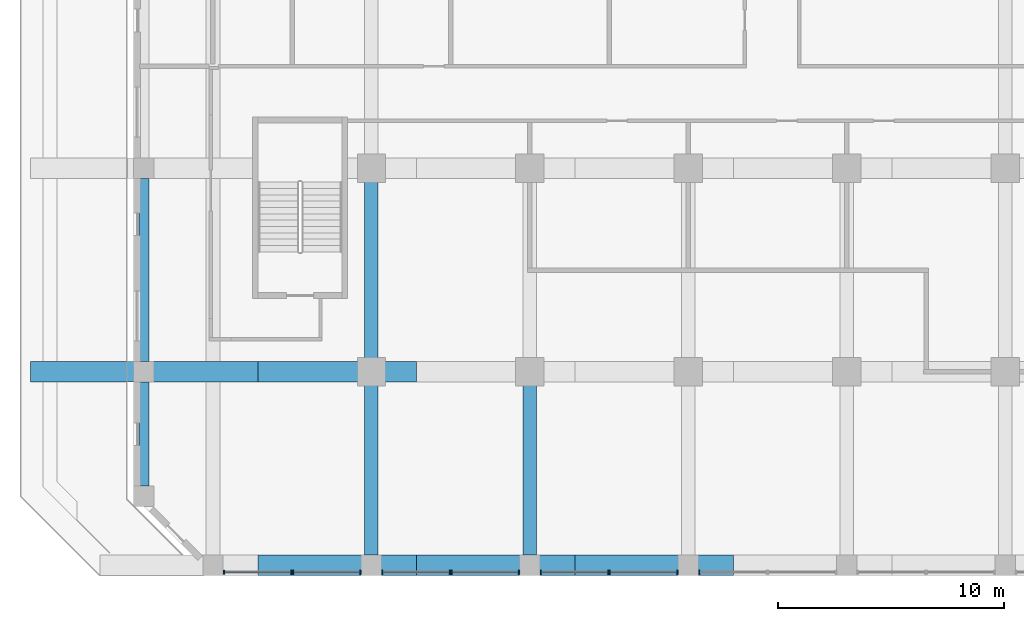
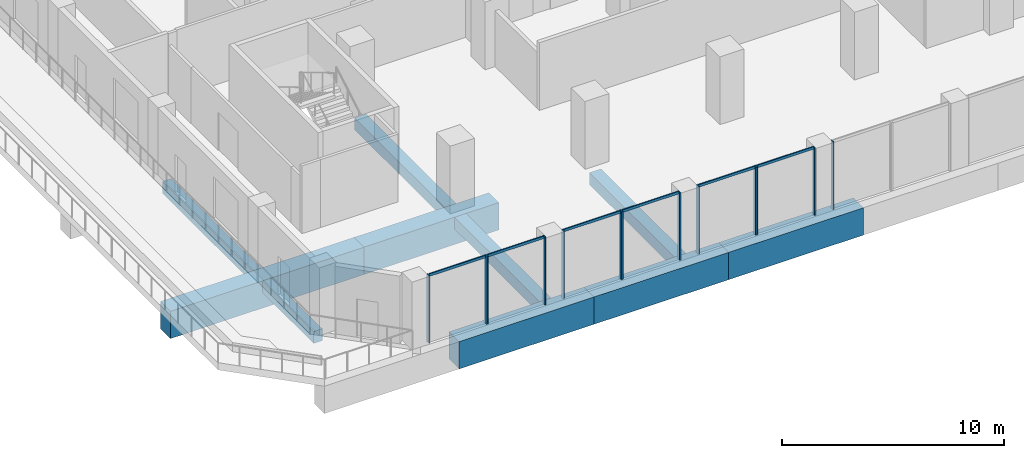
# One storey, part 2 of 20: 19 members, 10 beams, 7 elements without a shape of their own.
"""IFC4 building model written with IfcOpenShell, lengths in metres."""

from ifc_helpers import new_model, si_unit, direction, frame, origin, origin_2d, place, context, subcontext, project, spatial, rectangle, extrude, source, transform, mapped, material, material_profile, profile_set, type_object, element, aggregate, save


model = new_model("IFC4")

# Units and contexts
model_context = context("Model", 3, precision=1e-05, world=origin(), true_north=direction((0.0, 1.0)))
body_context = subcontext(model_context, "Body", "Model", "MODEL_VIEW")
ifc_project = project(units=[si_unit("LENGTHUNIT", "METRE"), si_unit("AREAUNIT", "SQUARE_METRE"), si_unit("VOLUMEUNIT", "CUBIC_METRE"), si_unit("PLANEANGLEUNIT", "RADIAN"), si_unit("MASSUNIT", "GRAM", prefix="KILO")], contexts=[model_context])

# Site, building, storey
site_placement = place(None, origin())
site = spatial("IfcSite", under=ifc_project, at=site_placement, CompositionType="ELEMENT")
building_placement = place(site_placement, origin())
building = spatial("IfcBuilding", under=site, at=building_placement, Name="Kilnfold Tower and Market Hall", CompositionType="ELEMENT")
storey_placement = place(building_placement, frame((0.0, 0.0, 63.199951171875)))
storey = spatial("IfcBuildingStorey", under=building, at=storey_placement, Name="L14", CompositionType="ELEMENT", Elevation=63.199951171875)

# Beams
ifc_material_1 = material(Name="Concrete C45", Category="concrete")
ifc_material_profile_1 = material_profile(ifc_material_1, rectangle(XDim=0.449951171875, YDim=0.64990234375, at=origin_2d()), Name="RC 450x650")
ifc_profile_set_1 = profile_set([ifc_material_profile_1], Name="Concrete C45")
beam_type_1 = type_object("IfcBeamType", Name="EDGE BEAM 450X650 C45", PredefinedType="BEAM", material=ifc_profile_set_1)
shared_shape_1 = source(origin(), body_context, "Body", "SweptSolid", [
    extrude(rectangle(XDim=0.449951171875, YDim=0.64990234375, at=origin_2d()), origin(), (0.0, 0.0, 1.0), 4.60009765625),
])
beam_1_placement = place(storey_placement, frame((-22.550048828125, -24.050048828125, -0.724853515625), z_axis=(0.0, 1.0, 0.0), x_axis=(-1.0, 0.0, 0.0)))
element("IfcBeam", 1, at=beam_1_placement, inside=storey, type_object=beam_type_1, Name="Beam EB650-B2.37", PredefinedType="BEAM", context=body_context, shape_type="MappedRepresentation", body=[
    mapped(shared_shape_1, transform((0.0, 0.0, 0.0))),
])
shared_shape_2 = source(origin(), body_context, "Body", "SweptSolid", [
    extrude(rectangle(XDim=0.449951171875, YDim=0.64990234375, at=origin_2d()), origin(), (0.0, 0.0, 1.0), 8.10009765625),
])
beam_2_placement = place(storey_placement, frame((-22.550048828125, -18.550048828125, -0.724853515625), z_axis=(0.0, 1.0, 0.0), x_axis=(-1.0, 0.0, 0.0)))
element("IfcBeam", 2, at=beam_2_placement, inside=storey, type_object=beam_type_1, Name="Beam EB650-B2.38", PredefinedType="BEAM", context=body_context, shape_type="MappedRepresentation", body=[
    mapped(shared_shape_2, transform((0.0, 0.0, 0.0))),
])
ifc_material_2 = material(Name="Concrete C60", Category="concrete")
ifc_material_profile_2 = material_profile(ifc_material_2, rectangle(XDim=0.89990234375, YDim=1.5, at=origin_2d()), Name="RC 900x1500")
ifc_profile_set_2 = profile_set([ifc_material_profile_2], Name="Concrete C60")
beam_type_2 = type_object("IfcBeamType", Name="TRANSFER GIRDER 900X1500 C60", PredefinedType="BEAM", material=ifc_profile_set_2)
shared_shape_3 = source(origin(), body_context, "Body", "SweptSolid", [
    extrude(rectangle(XDim=0.89990234375, YDim=1.5, at=origin_2d()), origin(), (0.0, 0.0, 1.0), 10.050048828125),
])
beam_3_placement = place(storey_placement, frame((-27.550048828125, -19.0, -1.14990234375), z_axis=(1.0, 0.0, 0.0), x_axis=(0.0, 1.0, 0.0)))
element("IfcBeam", 3, at=beam_3_placement, inside=storey, type_object=beam_type_2, Name="Beam TG1500-B2.1", PredefinedType="BEAM", context=body_context, shape_type="MappedRepresentation", body=[
    mapped(shared_shape_3, transform((0.0, 0.0, 0.0))),
])
shared_shape_4 = source(origin(), body_context, "Body", "SweptSolid", [
    extrude(rectangle(XDim=0.89990234375, YDim=1.5, at=origin_2d()), origin(), (0.0, 0.0, 1.0), 7.0),
])
for number, where, z_axis, x_axis, name in (
    (4, (-17.5, -27.550048828125, -1.14990234375), (1.0, 0.0, 0.0), (0.0, 1.0, 0.0), "Beam TG1500-B2.7"),
    (5, (-17.5, -19.0, -1.14990234375), (1.0, 0.0, 0.0), (0.0, 1.0, 0.0), "Beam TG1500-B2.8"),
    (6, (-10.5, -27.550048828125, -1.14990234375), (1.0, 0.0, 0.0), (0.0, 1.0, 0.0), "Beam TG1500-B2.12"),
    (7, (-3.5, -27.550048828125, -1.14990234375), (1.0, 0.0, 0.0), (0.0, 1.0, 0.0), "Beam TG1500-B2.16"),
):
    element("IfcBeam", number, at=place(storey_placement, frame(where, z_axis=z_axis, x_axis=x_axis)), inside=storey, type_object=beam_type_2, Name=name, PredefinedType="BEAM", context=body_context, shape_type="MappedRepresentation", body=[
        mapped(shared_shape_4, transform((0.0, 0.0, 0.0))),
    ])
ifc_material_3 = material(Name="Concrete C45", Category="concrete")
ifc_material_profile_3 = material_profile(ifc_material_3, rectangle(XDim=0.60009765625, YDim=0.64990234375, at=origin_2d()), Name="RC 600x650")
ifc_profile_set_3 = profile_set([ifc_material_profile_3], Name="Concrete C45")
beam_type_3 = type_object("IfcBeamType", Name="BEAM 600X650 C45", PredefinedType="BEAM", material=ifc_profile_set_3)
shared_shape_5 = source(origin(), body_context, "Body", "SweptSolid", [
    extrude(rectangle(XDim=0.60009765625, YDim=0.64990234375, at=origin_2d()), origin(), (0.0, 0.0, 1.0), 7.650146484375),
])
for number, where, z_axis, x_axis, name in (
    (8, (-12.5, -27.10009765625, -0.724853515625), (0.0, 1.0, 0.0), (-1.0, 0.0, 0.0), "Beam BB650-B2.43"),
    (9, (-5.5, -27.10009765625, -0.724853515625), (0.0, 1.0, 0.0), (-1.0, 0.0, 0.0), "Beam BB650-B2.46"),
):
    element("IfcBeam", number, at=place(storey_placement, frame(where, z_axis=z_axis, x_axis=x_axis)), inside=storey, type_object=beam_type_3, Name=name, PredefinedType="BEAM", context=body_context, shape_type="MappedRepresentation", body=[
        mapped(shared_shape_5, transform((0.0, 0.0, 0.0))),
    ])
shared_shape_6 = source(origin(), body_context, "Body", "SweptSolid", [
    extrude(rectangle(XDim=0.60009765625, YDim=0.64990234375, at=origin_2d()), origin(), (0.0, 0.0, 1.0), 8.10009765625),
])
beam_4_placement = place(storey_placement, frame((-12.5, -18.550048828125, -0.724853515625), z_axis=(0.0, 1.0, 0.0), x_axis=(-1.0, 0.0, 0.0)))
element("IfcBeam", 10, at=beam_4_placement, inside=storey, type_object=beam_type_3, Name="Beam BB650-B2.44", PredefinedType="BEAM", context=body_context, shape_type="MappedRepresentation", body=[
    mapped(shared_shape_6, transform((0.0, 0.0, 0.0))),
])

# Curtain wall, members
ifc_material_4 = material(Name="Aluminium and double glazing", Category="aluminium")
curtain_wall_type = type_object("IfcCurtainWallType", Name="CW OF1 VALLEY GLAZING", PredefinedType="NOTDEFINED", material=ifc_material_4)
curtain_wall_1_placement = place(storey_placement, origin())
curtain_wall_1 = element("IfcCurtainWall", 11, at=curtain_wall_1_placement, inside=storey, type_object=curtain_wall_type, Name="Curtain wall CW1 L14 S", PredefinedType="NOTDEFINED")
ifc_material_5 = material(Name="Aluminium", Category="aluminium")
ifc_material_profile_4 = material_profile(ifc_material_5, rectangle(XDim=0.06005859375, YDim=0.179931640625, at=origin_2d()), Name="MULLION 60x180")
ifc_profile_set_4 = profile_set([ifc_material_profile_4], Name="Aluminium")
member_type_1 = type_object("IfcMemberType", Name="MULLION 60X180", PredefinedType="MULLION", material=ifc_profile_set_4)
shared_shape_7 = source(origin(), body_context, "Body", "SweptSolid", [
    extrude(rectangle(XDim=0.06005859375, YDim=0.179931640625, at=origin_2d()), origin(), (0.0, 0.0, 1.0), 3.719970703125),
])
member_1_placement = place(storey_placement, frame((-19.02001953125, -27.85009765625, 0.0), z_axis=(0.0, 0.0, 1.0), x_axis=(1.0, 0.0, 0.0)))
member_1 = element("IfcMember", 12, at=member_1_placement, type_object=member_type_1, Name="CW1 mullion 1", PredefinedType="MULLION", context=body_context, shape_type="MappedRepresentation", body=[
    mapped(shared_shape_7, transform((0.0, 0.0, 0.0))),
])
member_2_placement = place(storey_placement, frame((-16.030029296875, -27.85009765625, 0.0), z_axis=(0.0, 0.0, 1.0), x_axis=(1.0, 0.0, 0.0)))
member_2 = element("IfcMember", 13, at=member_2_placement, type_object=member_type_1, Name="CW1 mullion 2", PredefinedType="MULLION", context=body_context, shape_type="MappedRepresentation", body=[
    mapped(shared_shape_7, transform((0.0, 0.0, 0.0))),
])

curtain_wall_2_placement = place(storey_placement, origin())
curtain_wall_2 = element("IfcCurtainWall", 14, at=curtain_wall_2_placement, inside=storey, type_object=curtain_wall_type, Name="Curtain wall CW1 L14 S", PredefinedType="NOTDEFINED")
member_3_placement = place(storey_placement, frame((-15.969970703125, -27.85009765625, 0.0), z_axis=(0.0, 0.0, 1.0), x_axis=(1.0, 0.0, 0.0)))
member_3 = element("IfcMember", 15, at=member_3_placement, type_object=member_type_1, Name="CW1 mullion 1", PredefinedType="MULLION", context=body_context, shape_type="MappedRepresentation", body=[
    mapped(shared_shape_7, transform((0.0, 0.0, 0.0))),
])
member_4_placement = place(storey_placement, frame((-12.97998046875, -27.85009765625, 0.0), z_axis=(0.0, 0.0, 1.0), x_axis=(1.0, 0.0, 0.0)))
member_4 = element("IfcMember", 16, at=member_4_placement, type_object=member_type_1, Name="CW1 mullion 2", PredefinedType="MULLION", context=body_context, shape_type="MappedRepresentation", body=[
    mapped(shared_shape_7, transform((0.0, 0.0, 0.0))),
])

curtain_wall_3_placement = place(storey_placement, origin())
curtain_wall_3 = element("IfcCurtainWall", 17, at=curtain_wall_3_placement, inside=storey, type_object=curtain_wall_type, Name="Curtain wall CW1 L14 S", PredefinedType="NOTDEFINED")
member_5_placement = place(storey_placement, frame((-12.02001953125, -27.85009765625, 0.0), z_axis=(0.0, 0.0, 1.0), x_axis=(1.0, 0.0, 0.0)))
member_5 = element("IfcMember", 18, at=member_5_placement, type_object=member_type_1, Name="CW1 mullion 1", PredefinedType="MULLION", context=body_context, shape_type="MappedRepresentation", body=[
    mapped(shared_shape_7, transform((0.0, 0.0, 0.0))),
])
member_6_placement = place(storey_placement, frame((-9.030029296875, -27.85009765625, 0.0), z_axis=(0.0, 0.0, 1.0), x_axis=(1.0, 0.0, 0.0)))
member_6 = element("IfcMember", 19, at=member_6_placement, type_object=member_type_1, Name="CW1 mullion 2", PredefinedType="MULLION", context=body_context, shape_type="MappedRepresentation", body=[
    mapped(shared_shape_7, transform((0.0, 0.0, 0.0))),
])

curtain_wall_4_placement = place(storey_placement, origin())
curtain_wall_4 = element("IfcCurtainWall", 20, at=curtain_wall_4_placement, inside=storey, type_object=curtain_wall_type, Name="Curtain wall CW1 L14 S", PredefinedType="NOTDEFINED")
member_7_placement = place(storey_placement, frame((-8.969970703125, -27.85009765625, 0.0), z_axis=(0.0, 0.0, 1.0), x_axis=(1.0, 0.0, 0.0)))
member_7 = element("IfcMember", 21, at=member_7_placement, type_object=member_type_1, Name="CW1 mullion 1", PredefinedType="MULLION", context=body_context, shape_type="MappedRepresentation", body=[
    mapped(shared_shape_7, transform((0.0, 0.0, 0.0))),
])
member_8_placement = place(storey_placement, frame((-5.97998046875, -27.85009765625, 0.0), z_axis=(0.0, 0.0, 1.0), x_axis=(1.0, 0.0, 0.0)))
member_8 = element("IfcMember", 22, at=member_8_placement, type_object=member_type_1, Name="CW1 mullion 2", PredefinedType="MULLION", context=body_context, shape_type="MappedRepresentation", body=[
    mapped(shared_shape_7, transform((0.0, 0.0, 0.0))),
])

curtain_wall_5_placement = place(storey_placement, origin())
curtain_wall_5 = element("IfcCurtainWall", 23, at=curtain_wall_5_placement, inside=storey, type_object=curtain_wall_type, Name="Curtain wall CW1 L14 S", PredefinedType="NOTDEFINED")
member_9_placement = place(storey_placement, frame((-5.02001953125, -27.85009765625, 0.0), z_axis=(0.0, 0.0, 1.0), x_axis=(1.0, 0.0, 0.0)))
member_9 = element("IfcMember", 24, at=member_9_placement, type_object=member_type_1, Name="CW1 mullion 1", PredefinedType="MULLION", context=body_context, shape_type="MappedRepresentation", body=[
    mapped(shared_shape_7, transform((0.0, 0.0, 0.0))),
])
member_10_placement = place(storey_placement, frame((-2.030029296875, -27.85009765625, 0.0), z_axis=(0.0, 0.0, 1.0), x_axis=(1.0, 0.0, 0.0)))
member_10 = element("IfcMember", 25, at=member_10_placement, type_object=member_type_1, Name="CW1 mullion 2", PredefinedType="MULLION", context=body_context, shape_type="MappedRepresentation", body=[
    mapped(shared_shape_7, transform((0.0, 0.0, 0.0))),
])

curtain_wall_6_placement = place(storey_placement, origin())
curtain_wall_6 = element("IfcCurtainWall", 26, at=curtain_wall_6_placement, inside=storey, type_object=curtain_wall_type, Name="Curtain wall CW1 L14 S", PredefinedType="NOTDEFINED")
member_11_placement = place(storey_placement, frame((-1.969970703125, -27.85009765625, 0.0), z_axis=(0.0, 0.0, 1.0), x_axis=(1.0, 0.0, 0.0)))
member_11 = element("IfcMember", 27, at=member_11_placement, type_object=member_type_1, Name="CW1 mullion 1", PredefinedType="MULLION", context=body_context, shape_type="MappedRepresentation", body=[
    mapped(shared_shape_7, transform((0.0, 0.0, 0.0))),
])
member_12_placement = place(storey_placement, frame((1.02001953125, -27.85009765625, 0.0), z_axis=(0.0, 0.0, 1.0), x_axis=(1.0, 0.0, 0.0)))
member_12 = element("IfcMember", 28, at=member_12_placement, type_object=member_type_1, Name="CW1 mullion 2", PredefinedType="MULLION", context=body_context, shape_type="MappedRepresentation", body=[
    mapped(shared_shape_7, transform((0.0, 0.0, 0.0))),
])

# Curtain wall, member
curtain_wall_7_placement = place(storey_placement, origin())
curtain_wall_7 = element("IfcCurtainWall", 29, at=curtain_wall_7_placement, inside=storey, type_object=curtain_wall_type, Name="Curtain wall CW1 L14 S", PredefinedType="NOTDEFINED")
member_13_placement = place(storey_placement, frame((1.97998046875, -27.85009765625, 0.0), z_axis=(0.0, 0.0, 1.0), x_axis=(1.0, 0.0, 0.0)))
member_13 = element("IfcMember", 30, at=member_13_placement, type_object=member_type_1, Name="CW1 mullion 1", PredefinedType="MULLION", context=body_context, shape_type="MappedRepresentation", body=[
    mapped(shared_shape_7, transform((0.0, 0.0, 0.0))),
])
aggregate(curtain_wall_7, [member_13])

# Member
ifc_material_6 = material(Name="Aluminium", Category="aluminium")
ifc_material_profile_5 = material_profile(ifc_material_6, rectangle(XDim=0.06005859375, YDim=0.139892578125, at=origin_2d()), Name="TRANSOM 60x140")
ifc_profile_set_5 = profile_set([ifc_material_profile_5], Name="Aluminium")
member_type_2 = type_object("IfcMemberType", Name="TRANSOM 60X140", PredefinedType="USERDEFINED", material=ifc_profile_set_5)
shared_shape_8 = source(origin(), body_context, "Body", "SweptSolid", [
    extrude(rectangle(XDim=0.06005859375, YDim=0.139892578125, at=origin_2d()), origin(), (0.0, 0.0, 1.0), 2.929931640625),
])
member_14_placement = place(storey_placement, frame((-18.989990234375, -27.85009765625, 3.68994140625), z_axis=(1.0, 0.0, 0.0), x_axis=(0.0, 1.0, 0.0)))
member_14 = element("IfcMember", 31, at=member_14_placement, type_object=member_type_2, Name="CW1 transom 1.2", ObjectType="TRANSOM", PredefinedType="USERDEFINED", context=body_context, shape_type="MappedRepresentation", body=[
    mapped(shared_shape_8, transform((0.0, 0.0, 0.0))),
])

aggregate(curtain_wall_1, [member_1, member_2, member_14])

member_15_placement = place(storey_placement, frame((-15.93994140625, -27.85009765625, 3.68994140625), z_axis=(1.0, 0.0, 0.0), x_axis=(0.0, 1.0, 0.0)))
member_15 = element("IfcMember", 32, at=member_15_placement, type_object=member_type_2, Name="CW1 transom 1.2", ObjectType="TRANSOM", PredefinedType="USERDEFINED", context=body_context, shape_type="MappedRepresentation", body=[
    mapped(shared_shape_8, transform((0.0, 0.0, 0.0))),
])

aggregate(curtain_wall_2, [member_3, member_4, member_15])

member_16_placement = place(storey_placement, frame((-11.989990234375, -27.85009765625, 3.68994140625), z_axis=(1.0, 0.0, 0.0), x_axis=(0.0, 1.0, 0.0)))
member_16 = element("IfcMember", 33, at=member_16_placement, type_object=member_type_2, Name="CW1 transom 1.2", ObjectType="TRANSOM", PredefinedType="USERDEFINED", context=body_context, shape_type="MappedRepresentation", body=[
    mapped(shared_shape_8, transform((0.0, 0.0, 0.0))),
])

aggregate(curtain_wall_3, [member_5, member_6, member_16])

member_17_placement = place(storey_placement, frame((-8.93994140625, -27.85009765625, 3.68994140625), z_axis=(1.0, 0.0, 0.0), x_axis=(0.0, 1.0, 0.0)))
member_17 = element("IfcMember", 34, at=member_17_placement, type_object=member_type_2, Name="CW1 transom 1.2", ObjectType="TRANSOM", PredefinedType="USERDEFINED", context=body_context, shape_type="MappedRepresentation", body=[
    mapped(shared_shape_8, transform((0.0, 0.0, 0.0))),
])

aggregate(curtain_wall_4, [member_7, member_8, member_17])

member_18_placement = place(storey_placement, frame((-4.989990234375, -27.85009765625, 3.68994140625), z_axis=(1.0, 0.0, 0.0), x_axis=(0.0, 1.0, 0.0)))
member_18 = element("IfcMember", 35, at=member_18_placement, type_object=member_type_2, Name="CW1 transom 1.2", ObjectType="TRANSOM", PredefinedType="USERDEFINED", context=body_context, shape_type="MappedRepresentation", body=[
    mapped(shared_shape_8, transform((0.0, 0.0, 0.0))),
])

aggregate(curtain_wall_5, [member_9, member_10, member_18])

member_19_placement = place(storey_placement, frame((-1.93994140625, -27.85009765625, 3.68994140625), z_axis=(1.0, 0.0, 0.0), x_axis=(0.0, 1.0, 0.0)))
member_19 = element("IfcMember", 36, at=member_19_placement, type_object=member_type_2, Name="CW1 transom 1.2", ObjectType="TRANSOM", PredefinedType="USERDEFINED", context=body_context, shape_type="MappedRepresentation", body=[
    mapped(shared_shape_8, transform((0.0, 0.0, 0.0))),
])

aggregate(curtain_wall_6, [member_11, member_12, member_19])

save(model, "model.ifc")
